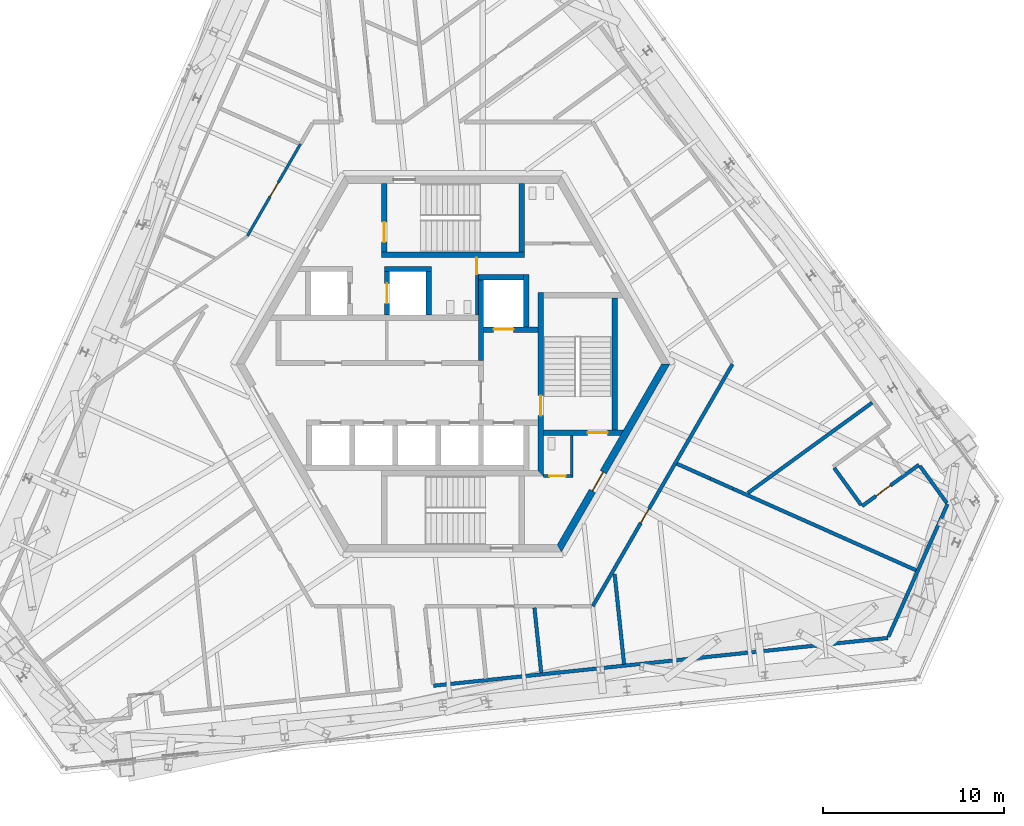
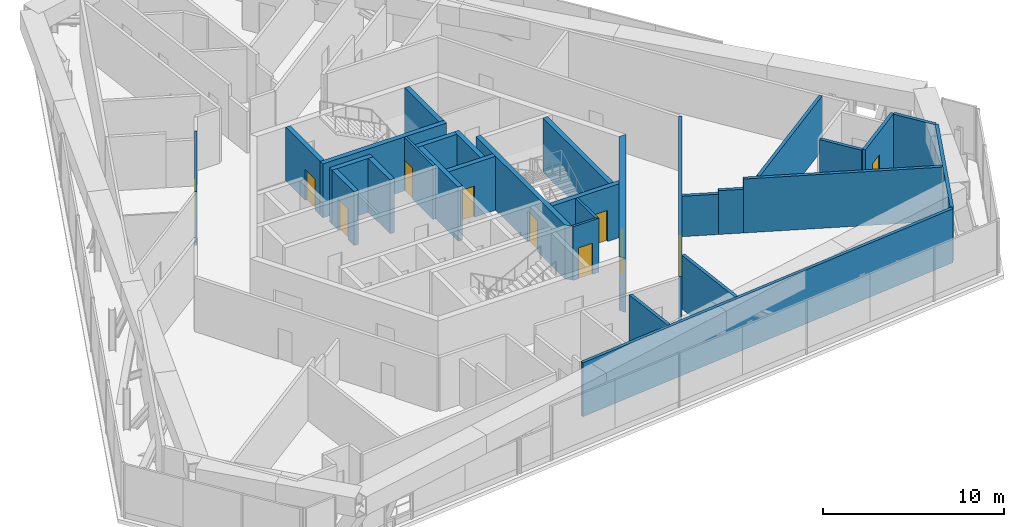
# One storey, part 14 of 23: 30 walls, 11 doors, 11 openings.
"""IFC4 building model written with IfcOpenShell, lengths in metres."""

from ifc_helpers import new_model, si_unit, direction, frame, frame_2d, origin, place, context, subcontext, project, spatial, polyline, rectangle, outline, extrude, source, transform, mapped, material, layer, layer_set, type_object, element, fill, save


model = new_model("IFC4")

# Units and contexts
model_context = context("Model", 3, precision=1e-05, world=origin(), true_north=direction((0.0, 1.0)))
body_context = subcontext(model_context, "Body", "Model", "MODEL_VIEW")
ifc_project = project(units=[si_unit("LENGTHUNIT", "METRE"), si_unit("AREAUNIT", "SQUARE_METRE"), si_unit("VOLUMEUNIT", "CUBIC_METRE"), si_unit("PLANEANGLEUNIT", "RADIAN"), si_unit("MASSUNIT", "GRAM", prefix="KILO")], contexts=[model_context])

# Site, building, storey
site_placement = place(None, origin())
site = spatial("IfcSite", under=ifc_project, at=site_placement, CompositionType="ELEMENT")
building_placement = place(site_placement, origin())
building = spatial("IfcBuilding", under=site, at=building_placement, Name="Triune Harvest Tower", CompositionType="ELEMENT")
storey_placement = place(building_placement, frame((0.0, 0.0, 255.699951171875)))
storey = spatial("IfcBuildingStorey", under=building, at=storey_placement, Name="L67", CompositionType="ELEMENT", Elevation=255.699951171875)

# Wall, opening, door
ifc_material_1 = material(Name="Gypsum board on steel studs", Category="steel")
ifc_layer_1 = layer(ifc_material_1, 0.14990234375)
ifc_layer_set_1 = layer_set([ifc_layer_1], Name="Gypsum board on steel studs")
wall_type_1 = type_object("IfcWallType", Name="Fire Partition 150 mm", PredefinedType="PARTITIONING", material=ifc_layer_set_1)
wall_1_placement = place(storey_placement, frame((-11.365966796875, 7.09814453125, 0.0), z_axis=(0.0, 0.0, 1.0), x_axis=(0.500005576254, 0.866022184308, 0.0)))
wall_1 = element("IfcWall", 1, at=wall_1_placement, inside=storey, type_object=wall_type_1, Name="Partition L67 055", PredefinedType="PARTITIONING", context=body_context, shape_type="SweptSolid", body=[
    extrude(rectangle(XDim=5.84716796875, YDim=0.14990234375, at=frame_2d((2.923583984375, 0.0))), origin(), (0.0, 0.0, 1.0), 3.64013671875),
])
opening_1_placement = place(wall_1_placement, frame((2.5, 0.0, 0.0)))
opening_1 = element("IfcOpeningElement", 2, at=opening_1_placement, cuts=wall_1, Name="Opening L67-012", PredefinedType="OPENING", context=body_context, shape_type="SweptSolid", body=[
    extrude(rectangle(XDim=0.89990234375, YDim=2.10009765625, at=frame_2d((0.449951171875, 1.050048828125))), frame((0.0, 0.0849609375, 0.0), z_axis=(0.0, -1.0, 0.0), x_axis=(1.0, 0.0, 0.0)), (0.0, 0.0, 1.0), 0.169921875),
])
ifc_material_2 = material(Name="Timber and steel door set", Category="steel")
door_type_1 = type_object("IfcDoorType", Name="Single leaf door FD30 right hand 900 x 2100", OperationType="SINGLE_SWING_RIGHT", PredefinedType="DOOR", material=ifc_material_2)
door_1_placement = place(opening_1_placement, origin())
door_1 = element("IfcDoor", 3, at=door_1_placement, inside=storey, type_object=door_type_1, Name="Door L67-012 Dry Store Room 67.12", OperationType="SINGLE_SWING_RIGHT", OverallHeight=2.10009765625, OverallWidth=0.89990234375, PredefinedType="DOOR", context=body_context, shape_type="SweptSolid", body=[
    extrude(rectangle(XDim=0.89990234375, YDim=2.10009765625, at=frame_2d((0.449951171875, 1.050048828125))), frame((0.0, 0.02490234375, 0.0), z_axis=(0.0, -1.0, 0.0), x_axis=(1.0, 0.0, 0.0)), (0.0, 0.0, 1.0), 0.050048828125),
])
fill(opening_1, door_1)

# Walls
ifc_material_3 = material(Name="Gypsum board on steel studs", Category="steel")
ifc_layer_2 = layer(ifc_material_3, 0.199951171875)
ifc_layer_set_2 = layer_set([ifc_layer_2], Name="Gypsum board on steel studs")
wall_type_2 = type_object("IfcWallType", Name="Fire Wall 200 mm", PredefinedType="PARTITIONING", material=ifc_layer_set_2)
wall_2_placement = place(storey_placement, frame((4.505615234375, -13.481689453125, 0.0), z_axis=(0.0, 0.0, 1.0), x_axis=(0.104537521433, -0.994520943275, 0.0)))
element("IfcWall", 4, at=wall_2_placement, inside=storey, type_object=wall_type_2, Name="Partition L67 011", PredefinedType="PARTITIONING", context=body_context, shape_type="SweptSolid", body=[
    extrude(rectangle(XDim=3.62451171875, YDim=0.199951171875, at=frame_2d((1.812255859375, 0.0))), origin(), (0.0, 0.0, 1.0), 3.64013671875),
])
wall_3_placement = place(storey_placement, frame((8.9423828125, -11.613525390625, 0.0), z_axis=(0.0, 0.0, 1.0), x_axis=(0.104540444473, -0.99452063602, 0.0)))
element("IfcWall", 5, at=wall_3_placement, inside=storey, type_object=wall_type_2, Name="Partition L67 012", PredefinedType="PARTITIONING", context=body_context, shape_type="SweptSolid", body=[
    extrude(rectangle(XDim=5.018798828125, YDim=0.199951171875, at=frame_2d((2.50927734375, 0.0))), origin(), (0.0, 0.0, 1.0), 3.64013671875),
])
wall_4_placement = place(storey_placement, frame((21.08544921875, -5.74169921875, 0.0), z_axis=(0.0, 0.0, 1.0), x_axis=(0.587765846861, -0.809031092891, 0.0)))
element("IfcWall", 6, at=wall_4_placement, inside=storey, type_object=wall_type_2, Name="Partition L67 017", PredefinedType="PARTITIONING", context=body_context, shape_type="SweptSolid", body=[
    extrude(rectangle(XDim=2.5400390625, YDim=0.199951171875, at=frame_2d((1.27001953125, 0.0))), origin(), (0.0, 0.0, 1.0), 3.64013671875),
])
wall_5_placement = place(storey_placement, frame((25.82763671875, -5.633544921875, 0.0), z_axis=(0.0, 0.0, 1.0), x_axis=(0.587799275921, -0.809006805427, 0.0)))
element("IfcWall", 7, at=wall_5_placement, inside=storey, type_object=wall_type_2, Name="Partition L67 023", PredefinedType="PARTITIONING", context=body_context, shape_type="SweptSolid", body=[
    extrude(rectangle(XDim=2.533935546875, YDim=0.199951171875, at=frame_2d((1.26708984375, 0.0))), origin(), (0.0, 0.0, 1.0), 3.64013671875),
])
wall_6_placement = place(storey_placement, frame((12.384033203125, -5.513916015625, 0.0), z_axis=(0.0, 0.0, 1.0), x_axis=(0.91359778804, -0.406619086725, 0.0)))
element("IfcWall", 8, at=wall_6_placement, inside=storey, type_object=wall_type_2, Name="Partition L67 025", PredefinedType="PARTITIONING", context=body_context, shape_type="SweptSolid", body=[
    extrude(rectangle(XDim=2.0263671875, YDim=0.199951171875, at=frame_2d((1.01318359375, 0.0))), origin(), (0.0, 0.0, 1.0), 2.7255859375),
])
wall_7_placement = place(storey_placement, frame((14.2353515625, -6.337890625, 0.0), z_axis=(0.0, 0.0, 1.0), x_axis=(0.913482546164, -0.406877915171, 0.0)))
element("IfcWall", 9, at=wall_7_placement, inside=storey, type_object=wall_type_2, Name="Partition L67 025a", PredefinedType="PARTITIONING", context=body_context, shape_type="SweptSolid", body=[
    extrude(rectangle(XDim=1.378173828125, YDim=0.199951171875, at=frame_2d((0.68896484375, 0.0))), origin(), (0.0, 0.0, 1.0), 2.956787109375),
])
wall_8_placement = place(storey_placement, frame((15.494384765625, -6.898681640625, 0.0), z_axis=(0.0, 0.0, 1.0), x_axis=(0.913542108891, -0.406744164411, 0.0)))
element("IfcWall", 10, at=wall_8_placement, inside=storey, type_object=wall_type_2, Name="Partition L67 025b", PredefinedType="PARTITIONING", context=body_context, shape_type="SweptSolid", body=[
    extrude(rectangle(XDim=11.180419921875, YDim=0.199951171875, at=frame_2d((5.59033203125, 0.0))), origin(), (0.0, 0.0, 1.0), 3.64013671875),
])
wall_9_placement = place(storey_placement, frame((-1.085693359375, -17.79443359375, 0.0), z_axis=(0.0, 0.0, 1.0), x_axis=(0.994521684856, 0.104530466143, 0.0)))
element("IfcWall", 11, at=wall_9_placement, inside=storey, type_object=wall_type_2, Name="Partition L67 037", PredefinedType="PARTITIONING", context=body_context, shape_type="SweptSolid", body=[
    extrude(rectangle(XDim=25.28271484375, YDim=0.199951171875, at=frame_2d((12.641357421875, 0.0))), origin(), (0.0, 0.0, 1.0), 3.64013671875),
])

# Wall, opening, door
wall_10_placement = place(storey_placement, frame((22.625732421875, -7.861083984375, 0.0), z_axis=(0.0, 0.0, 1.0), x_axis=(0.809036526303, 0.58775836796, 0.0)))
wall_10 = element("IfcWall", 12, at=wall_10_placement, inside=storey, type_object=wall_type_2, Name="Partition L67 040", PredefinedType="PARTITIONING", context=body_context, shape_type="SweptSolid", body=[
    extrude(rectangle(XDim=3.899169921875, YDim=0.199951171875, at=frame_2d((1.94970703125, 0.0))), origin(), (0.0, 0.0, 1.0), 3.64013671875),
])
opening_2_placement = place(wall_10_placement, frame((0.94970703125, 0.0, 0.0)))
opening_2 = element("IfcOpeningElement", 13, at=opening_2_placement, cuts=wall_10, Name="Opening L67-001", PredefinedType="OPENING", context=body_context, shape_type="SweptSolid", body=[
    extrude(rectangle(XDim=1.0, YDim=2.10009765625, at=frame_2d((0.5, 1.050048828125))), frame((0.0, 0.10986328125, 0.0), z_axis=(0.0, -1.0, 0.0), x_axis=(1.0, 0.0, 0.0)), (0.0, 0.0, 1.0), 0.219970703125),
])
ifc_material_4 = material(Name="Timber and steel door set", Category="steel")
door_type_2 = type_object("IfcDoorType", Name="Wide single leaf door FD60 right hand 1000 x 2100", OperationType="SINGLE_SWING_RIGHT", PredefinedType="DOOR", material=ifc_material_4)
door_2_placement = place(opening_2_placement, origin())
door_2 = element("IfcDoor", 14, at=door_2_placement, inside=storey, type_object=door_type_2, Name="Door L67-001 Refuge Area 67.01", OperationType="SINGLE_SWING_RIGHT", OverallHeight=2.10009765625, OverallWidth=1.0, PredefinedType="DOOR", context=body_context, shape_type="SweptSolid", body=[
    extrude(rectangle(XDim=1.0, YDim=2.10009765625, at=frame_2d((0.5, 1.050048828125))), frame((0.0, 0.02490234375, 0.0), z_axis=(0.0, -1.0, 0.0), x_axis=(1.0, 0.0, 0.0)), (0.0, 0.0, 1.0), 0.050048828125),
])
fill(opening_2, door_2)

# Walls
wall_11_placement = place(storey_placement, frame((16.322998046875, -7.125244140625, 0.0), z_axis=(0.0, 0.0, 1.0), x_axis=(0.809018395673, 0.587783323566, 0.0)))
element("IfcWall", 15, at=wall_11_placement, inside=storey, type_object=wall_type_2, Name="Partition L67 042", PredefinedType="PARTITIONING", context=body_context, shape_type="SweptSolid", body=[
    extrude(rectangle(XDim=8.486083984375, YDim=0.199951171875, at=frame_2d((4.2431640625, 0.0))), origin(), (0.0, 0.0, 1.0), 3.64013671875),
])
wall_12_placement = place(storey_placement, frame((24.0869140625, -15.087890625, 0.0), z_axis=(0.0, 0.0, 1.0), x_axis=(0.406732658492, 0.913547231683, 0.0)))
element("IfcWall", 16, at=wall_12_placement, inside=storey, type_object=wall_type_2, Name="Partition L67 057", PredefinedType="PARTITIONING", context=body_context, shape_type="SweptSolid", body=[
    extrude(rectangle(XDim=8.042724609375, YDim=0.199951171875, at=frame_2d((4.021484375, 0.0))), origin(), (0.0, 0.0, 1.0), 3.64013671875),
])

# Wall, opening, door
ifc_material_5 = material(Name="Concrete 70 MPa", Category="concrete")
ifc_layer_3 = layer(ifc_material_5, 0.39990234375)
ifc_layer_set_3 = layer_set([ifc_layer_3], Name="Concrete 70 MPa")
wall_type_3 = type_object("IfcWallType", Name="Core wall 400", PredefinedType="SHEAR", material=ifc_layer_set_3)
shared_shape_1 = source(origin(), body_context, "Body", "SweptSolid", [
    extrude(outline(polyline([(-0.115478515625, -0.199951171875), (11.884521484375, -0.199951171875), (11.653564453125, 0.199951171875), (0.115478515625, 0.199951171875), (-0.115478515625, -0.199951171875)])), origin(), (0.0, 0.0, 1.0), 3.64013671875),
])
wall_13_placement = place(storey_placement, frame((5.884521484375, -10.1923828125, 0.0), z_axis=(0.0, 0.0, 1.0), x_axis=(0.499996592174, 0.866027371285, 0.0)))
wall_13 = element("IfcWall", 17, at=wall_13_placement, inside=storey, type_object=wall_type_3, Name="Hexagon 5 wall", PredefinedType="SHEAR", context=body_context, shape_type="MappedRepresentation", body=[
    mapped(shared_shape_1, transform((0.0, 0.0, 0.0), scale=1.0)),
])
opening_3_placement = place(wall_13_placement, frame((3.66455078125, 0.0, 0.0)))
opening_3 = element("IfcOpeningElement", 18, at=opening_3_placement, cuts=wall_13, Name="Opening CD-DP", PredefinedType="OPENING", context=body_context, shape_type="SweptSolid", body=[
    extrude(rectangle(XDim=1.199951171875, YDim=2.10009765625, at=frame_2d((0.60009765625, 1.050048828125))), frame((0.0, 0.2099609375, 0.0), z_axis=(0.0, -1.0, 0.0), x_axis=(1.0, 0.0, 0.0)), (0.0, 0.0, 1.0), 0.419921875),
])
ifc_material_6 = material(Name="Steel S235", Category="steel")
door_type_3 = type_object("IfcDoorType", Name="Stair door 1200 FD120", OperationType="SINGLE_SWING_LEFT", PredefinedType="DOOR", material=ifc_material_6)
door_3_placement = place(opening_3_placement, frame((1.199951171875, 0.0, 0.0), z_axis=(0.0, 0.0, 1.0), x_axis=(-1.0, 0.0, 0.0)))
door_3 = element("IfcDoor", 19, at=door_3_placement, inside=storey, type_object=door_type_3, Name="Door CD-DP", OperationType="SINGLE_SWING_RIGHT", OverallHeight=2.10009765625, OverallWidth=1.199951171875, PredefinedType="DOOR", context=body_context, shape_type="SweptSolid", body=[
    extrude(rectangle(XDim=1.199951171875, YDim=2.10009765625, at=frame_2d((0.60009765625, 1.050048828125))), frame((0.0, 0.02490234375, 0.0), z_axis=(0.0, -1.0, 0.0), x_axis=(1.0, 0.0, 0.0)), (0.0, 0.0, 1.0), 0.050048828125),
])
fill(opening_3, door_3)

# Walls
ifc_material_7 = material(Name="Concrete 70 MPa", Category="concrete")
ifc_layer_4 = layer(ifc_material_7, 0.300048828125)
ifc_layer_set_4 = layer_set([ifc_layer_4], Name="Concrete 70 MPa")
wall_type_4 = type_object("IfcWallType", Name="Core wall 300", PredefinedType="SHEAR", material=ifc_layer_set_4)
shared_shape_2 = source(origin(), body_context, "Body", "SweptSolid", [
    extrude(rectangle(XDim=2.5, YDim=0.300048828125, at=frame_2d((1.25, 0.0))), origin(), (0.0, 0.0, 1.0), 3.64013671875),
])
wall_14_placement = place(storey_placement, frame((1.39990234375, 4.81005859375, 0.0), z_axis=(0.0, 0.0, 1.0), x_axis=(1.0, 0.0, 0.0)))
element("IfcWall", 20, at=wall_14_placement, inside=storey, type_object=wall_type_4, Name="Ff1 back wall", PredefinedType="SHEAR", context=body_context, shape_type="MappedRepresentation", body=[
    mapped(shared_shape_2, transform((0.0, 0.0, 0.0), scale=1.0)),
])
shared_shape_3 = source(origin(), body_context, "Body", "SweptSolid", [
    extrude(rectangle(XDim=4.449951171875, YDim=0.300048828125, at=frame_2d((2.22509765625, 0.0))), origin(), (0.0, 0.0, 1.0), 3.64013671875),
])
wall_15_placement = place(storey_placement, frame((1.550048828125, 0.2099609375, 0.0), z_axis=(0.0, 0.0, 1.0), x_axis=(0.0, 1.0, 0.0)))
element("IfcWall", 21, at=wall_15_placement, inside=storey, type_object=wall_type_4, Name="Ff1 west wall", PredefinedType="SHEAR", context=body_context, shape_type="MappedRepresentation", body=[
    mapped(shared_shape_3, transform((0.0, 0.0, 0.0), scale=1.0)),
])

# Wall, opening, door
shared_shape_4 = source(origin(), body_context, "Body", "SweptSolid", [
    extrude(rectangle(XDim=3.0, YDim=0.300048828125, at=frame_2d((1.5, 0.0))), origin(), (0.0, 0.0, 1.0), 3.64013671875),
])
wall_16_placement = place(storey_placement, frame((1.699951171875, 1.909912109375, 0.0), z_axis=(0.0, 0.0, 1.0), x_axis=(1.0, 0.0, 0.0)))
wall_16 = element("IfcWall", 22, at=wall_16_placement, inside=storey, type_object=wall_type_4, Name="Ff1 front wall", PredefinedType="SHEAR", context=body_context, shape_type="MappedRepresentation", body=[
    mapped(shared_shape_4, transform((0.0, 0.0, 0.0), scale=1.0)),
])
opening_4_placement = place(wall_16_placement, frame((0.550048828125, 0.0, 0.0)))
opening_4 = element("IfcOpeningElement", 23, at=opening_4_placement, cuts=wall_16, Name="Opening LD-FF1-67", PredefinedType="OPENING", context=body_context, shape_type="SweptSolid", body=[
    extrude(rectangle(XDim=1.10009765625, YDim=2.10009765625, at=frame_2d((0.550048828125, 1.050048828125))), frame((0.0, 0.16015625, 0.0), z_axis=(0.0, -1.0, 0.0), x_axis=(1.0, 0.0, 0.0)), (0.0, 0.0, 1.0), 0.320068359375),
])
ifc_material_8 = material(Name="Stainless steel AISI 304", Category="steel")
door_type_4 = type_object("IfcDoorType", Name="Landing door 1100 x 2100", OperationType="DOUBLE_DOOR_SLIDING", PredefinedType="DOOR", material=ifc_material_8)
door_4_placement = place(opening_4_placement, origin())
door_4 = element("IfcDoor", 24, at=door_4_placement, inside=storey, type_object=door_type_4, Name="Door LD-FF1-67", OperationType="DOUBLE_DOOR_SLIDING", OverallHeight=2.10009765625, OverallWidth=1.10009765625, PredefinedType="DOOR", context=body_context, shape_type="SweptSolid", body=[
    extrude(rectangle(XDim=1.10009765625, YDim=2.10009765625, at=frame_2d((0.550048828125, 1.050048828125))), frame((0.0, 0.02490234375, 0.0), z_axis=(0.0, -1.0, 0.0), x_axis=(1.0, 0.0, 0.0)), (0.0, 0.0, 1.0), 0.050048828125),
])
fill(opening_4, door_4)

# Wall
shared_shape_5 = source(origin(), body_context, "Body", "SweptSolid", [
    extrude(rectangle(XDim=2.89990234375, YDim=0.300048828125, at=frame_2d((1.449951171875, 0.0))), origin(), (0.0, 0.0, 1.0), 3.64013671875),
])
wall_17_placement = place(storey_placement, frame((4.050048828125, 2.06005859375, 0.0), z_axis=(0.0, 0.0, 1.0), x_axis=(0.0, 1.0, 0.0)))
element("IfcWall", 25, at=wall_17_placement, inside=storey, type_object=wall_type_4, Name="Ff1 east wall", PredefinedType="SHEAR", context=body_context, shape_type="MappedRepresentation", body=[
    mapped(shared_shape_5, transform((0.0, 0.0, 0.0), scale=1.0)),
])

# Wall, opening, door
shared_shape_6 = source(origin(), body_context, "Body", "SweptSolid", [
    extrude(outline(polyline([(-0.14990234375, -0.14990234375), (9.989990234375, -0.14990234375), (9.989990234375, 0.14990234375), (0.14990234375, 0.14990234375), (-0.14990234375, -0.14990234375)])), origin(), (0.0, 0.0, 1.0), 3.64013671875),
])
wall_18_placement = place(storey_placement, frame((4.85009765625, -6.0400390625, 0.0), z_axis=(0.0, 0.0, 1.0), x_axis=(0.0, 1.0, 0.0)))
wall_18 = element("IfcWall", 26, at=wall_18_placement, inside=storey, type_object=wall_type_4, Name="Stair e west wall", PredefinedType="SHEAR", context=body_context, shape_type="MappedRepresentation", body=[
    mapped(shared_shape_6, transform((0.0, 0.0, 0.0), scale=1.0)),
])
opening_5_placement = place(wall_18_placement, frame((3.18994140625, 0.0, 0.0)))
opening_5 = element("IfcOpeningElement", 27, at=opening_5_placement, cuts=wall_18, Name="Opening CD-S3L", PredefinedType="OPENING", context=body_context, shape_type="SweptSolid", body=[
    extrude(rectangle(XDim=1.10009765625, YDim=2.10009765625, at=frame_2d((0.550048828125, 1.050048828125))), frame((0.0, 0.16015625, 0.0), z_axis=(0.0, -1.0, 0.0), x_axis=(1.0, 0.0, 0.0)), (0.0, 0.0, 1.0), 0.320068359375),
])
ifc_material_9 = material(Name="Steel S235", Category="steel")
door_type_5 = type_object("IfcDoorType", Name="Stair door 1100 FD120", OperationType="SINGLE_SWING_LEFT", PredefinedType="DOOR", material=ifc_material_9)
door_5_placement = place(opening_5_placement, frame((1.10009765625, 0.0, 0.0), z_axis=(0.0, 0.0, 1.0), x_axis=(-1.0, 0.0, 0.0)))
door_5 = element("IfcDoor", 28, at=door_5_placement, inside=storey, type_object=door_type_5, Name="Door CD-S3L", OperationType="SINGLE_SWING_RIGHT", OverallHeight=2.10009765625, OverallWidth=1.10009765625, PredefinedType="DOOR", context=body_context, shape_type="SweptSolid", body=[
    extrude(rectangle(XDim=1.10009765625, YDim=2.10009765625, at=frame_2d((0.550048828125, 1.050048828125))), frame((0.0, 0.02490234375, 0.0), z_axis=(0.0, -1.0, 0.0), x_axis=(1.0, 0.0, 0.0)), (0.0, 0.0, 1.0), 0.050048828125),
])
fill(opening_5, door_5)

shared_shape_7 = source(origin(), body_context, "Body", "SweptSolid", [
    extrude(outline(polyline([(0.0, -0.14990234375), (0.0, 0.14990234375), (4.43310546875, 0.14990234375), (4.260009765625, -0.14990234375), (0.0, -0.14990234375)])), origin(), (0.0, 0.0, 1.0), 3.64013671875),
])
wall_19_placement = place(storey_placement, frame((5.0, -3.800048828125, 0.0), z_axis=(0.0, 0.0, 1.0), x_axis=(1.0, 0.0, 0.0)))
wall_19 = element("IfcWall", 29, at=wall_19_placement, inside=storey, type_object=wall_type_4, Name="Stair e south wall", PredefinedType="SHEAR", context=body_context, shape_type="MappedRepresentation", body=[
    mapped(shared_shape_7, transform((0.0, 0.0, 0.0), scale=1.0)),
])
opening_6_placement = place(wall_19_placement, frame((2.449951171875, 0.0, 0.0)))
opening_6 = element("IfcOpeningElement", 30, at=opening_6_placement, cuts=wall_19, Name="Opening CD-S3D", PredefinedType="OPENING", context=body_context, shape_type="SweptSolid", body=[
    extrude(rectangle(XDim=1.10009765625, YDim=2.10009765625, at=frame_2d((0.550048828125, 1.050048828125))), frame((0.0, 0.16015625, 0.0), z_axis=(0.0, -1.0, 0.0), x_axis=(1.0, 0.0, 0.0)), (0.0, 0.0, 1.0), 0.320068359375),
])
door_6_placement = place(opening_6_placement, frame((1.10009765625, 0.0, 0.0), z_axis=(0.0, 0.0, 1.0), x_axis=(-1.0, 0.0, 0.0)))
door_6 = element("IfcDoor", 31, at=door_6_placement, inside=storey, type_object=door_type_5, Name="Door CD-S3D", OperationType="SINGLE_SWING_RIGHT", OverallHeight=2.10009765625, OverallWidth=1.10009765625, PredefinedType="DOOR", context=body_context, shape_type="SweptSolid", body=[
    extrude(rectangle(XDim=1.10009765625, YDim=2.10009765625, at=frame_2d((0.550048828125, 1.050048828125))), frame((0.0, 0.02490234375, 0.0), z_axis=(0.0, -1.0, 0.0), x_axis=(1.0, 0.0, 0.0)), (0.0, 0.0, 1.0), 0.050048828125),
])
fill(opening_6, door_6)

# Walls
shared_shape_8 = source(origin(), body_context, "Body", "SweptSolid", [
    extrude(rectangle(XDim=7.2998046875, YDim=0.300048828125, at=frame_2d((3.64990234375, 0.0))), origin(), (0.0, 0.0, 1.0), 3.64013671875),
])
wall_20_placement = place(storey_placement, frame((8.949951171875, -3.64990234375, 0.0), z_axis=(0.0, 0.0, 1.0), x_axis=(0.0, 1.0, 0.0)))
element("IfcWall", 32, at=wall_20_placement, inside=storey, type_object=wall_type_4, Name="Stair e east wall", PredefinedType="SHEAR", context=body_context, shape_type="MappedRepresentation", body=[
    mapped(shared_shape_8, transform((0.0, 0.0, 0.0), scale=1.0)),
])
shared_shape_9 = source(origin(), body_context, "Body", "SweptSolid", [
    extrude(rectangle(XDim=7.89990234375, YDim=0.300048828125, at=frame_2d((3.949951171875, 0.0))), origin(), (0.0, 0.0, 1.0), 3.64013671875),
])
wall_21_placement = place(storey_placement, frame((-3.949951171875, 6.0400390625, 0.0), z_axis=(0.0, 0.0, 1.0), x_axis=(1.0, 0.0, 0.0)))
element("IfcWall", 33, at=wall_21_placement, inside=storey, type_object=wall_type_4, Name="Stair n south wall", PredefinedType="SHEAR", context=body_context, shape_type="MappedRepresentation", body=[
    mapped(shared_shape_9, transform((0.0, 0.0, 0.0), scale=1.0)),
])

# Wall, opening, door
shared_shape_10 = source(origin(), body_context, "Body", "SweptSolid", [
    extrude(outline(polyline([(0.0, -0.14990234375), (0.0, 0.14990234375), (3.80419921875, 0.14990234375), (3.80419921875, -0.14990234375), (0.0, -0.14990234375)])), origin(), (0.0, 0.0, 1.0), 3.64013671875),
])
wall_22_placement = place(storey_placement, frame((-3.800048828125, 6.18994140625, 0.0), z_axis=(0.0, 0.0, 1.0), x_axis=(0.0, 1.0, 0.0)))
wall_22 = element("IfcWall", 34, at=wall_22_placement, inside=storey, type_object=wall_type_4, Name="Stair n west wall", PredefinedType="SHEAR", context=body_context, shape_type="MappedRepresentation", body=[
    mapped(shared_shape_10, transform((0.0, 0.0, 0.0), scale=1.0)),
])
opening_7_placement = place(wall_22_placement, frame((0.56005859375, 0.0, 0.0)))
opening_7 = element("IfcOpeningElement", 35, at=opening_7_placement, cuts=wall_22, Name="Opening CD-S1L", PredefinedType="OPENING", context=body_context, shape_type="SweptSolid", body=[
    extrude(rectangle(XDim=1.10009765625, YDim=2.10009765625, at=frame_2d((0.550048828125, 1.050048828125))), frame((0.0, 0.16015625, 0.0), z_axis=(0.0, -1.0, 0.0), x_axis=(1.0, 0.0, 0.0)), (0.0, 0.0, 1.0), 0.320068359375),
])
door_7_placement = place(opening_7_placement, frame((1.10009765625, 0.0, 0.0), z_axis=(0.0, 0.0, 1.0), x_axis=(-1.0, 0.0, 0.0)))
door_7 = element("IfcDoor", 36, at=door_7_placement, inside=storey, type_object=door_type_5, Name="Door CD-S1L", OperationType="SINGLE_SWING_RIGHT", OverallHeight=2.10009765625, OverallWidth=1.10009765625, PredefinedType="DOOR", context=body_context, shape_type="SweptSolid", body=[
    extrude(rectangle(XDim=1.10009765625, YDim=2.10009765625, at=frame_2d((0.550048828125, 1.050048828125))), frame((0.0, 0.02490234375, 0.0), z_axis=(0.0, -1.0, 0.0), x_axis=(1.0, 0.0, 0.0)), (0.0, 0.0, 1.0), 0.050048828125),
])
fill(opening_7, door_7)

# Wall
wall_23_placement = place(storey_placement, frame((3.800048828125, 6.18994140625, 0.0), z_axis=(0.0, 0.0, 1.0), x_axis=(0.0, 1.0, 0.0)))
element("IfcWall", 37, at=wall_23_placement, inside=storey, type_object=wall_type_4, Name="Stair n east wall", PredefinedType="SHEAR", context=body_context, shape_type="MappedRepresentation", body=[
    mapped(shared_shape_10, transform((0.0, 0.0, 0.0), scale=1.0)),
])

# Wall, opening, door
shared_shape_11 = source(origin(), body_context, "Body", "SweptSolid", [
    extrude(rectangle(XDim=2.400146484375, YDim=0.300048828125, at=frame_2d((1.2001953125, 0.0))), origin(), (0.0, 0.0, 1.0), 3.64013671875),
])
wall_24_placement = place(storey_placement, frame((-3.64990234375, 2.7099609375, 0.0), z_axis=(0.0, 0.0, 1.0), x_axis=(0.0, 1.0, 0.0)))
wall_24 = element("IfcWall", 38, at=wall_24_placement, inside=storey, type_object=wall_type_4, Name="Sv2 west wall", PredefinedType="SHEAR", context=body_context, shape_type="MappedRepresentation", body=[
    mapped(shared_shape_11, transform((0.0, 0.0, 0.0), scale=1.0)),
])
opening_8_placement = place(wall_24_placement, frame((0.64990234375, 0.0, 0.0)))
opening_8 = element("IfcOpeningElement", 39, at=opening_8_placement, cuts=wall_24, Name="Opening LD-SV2-67", PredefinedType="OPENING", context=body_context, shape_type="SweptSolid", body=[
    extrude(rectangle(XDim=1.10009765625, YDim=2.10009765625, at=frame_2d((0.550048828125, 1.050048828125))), frame((0.0, 0.16015625, 0.0), z_axis=(0.0, -1.0, 0.0), x_axis=(1.0, 0.0, 0.0)), (0.0, 0.0, 1.0), 0.320068359375),
])
door_8_placement = place(opening_8_placement, origin())
door_8 = element("IfcDoor", 40, at=door_8_placement, inside=storey, type_object=door_type_4, Name="Door LD-SV2-67", OperationType="DOUBLE_DOOR_SLIDING", OverallHeight=2.10009765625, OverallWidth=1.10009765625, PredefinedType="DOOR", context=body_context, shape_type="SweptSolid", body=[
    extrude(rectangle(XDim=1.10009765625, YDim=2.10009765625, at=frame_2d((0.550048828125, 1.050048828125))), frame((0.0, 0.02490234375, 0.0), z_axis=(0.0, -1.0, 0.0), x_axis=(1.0, 0.0, 0.0)), (0.0, 0.0, 1.0), 0.050048828125),
])
fill(opening_8, door_8)

# Walls
wall_25_placement = place(storey_placement, frame((-1.35009765625, 2.7099609375, 0.0), z_axis=(0.0, 0.0, 1.0), x_axis=(0.0, 1.0, 0.0)))
element("IfcWall", 41, at=wall_25_placement, inside=storey, type_object=wall_type_4, Name="Sv2 east wall", PredefinedType="SHEAR", context=body_context, shape_type="MappedRepresentation", body=[
    mapped(shared_shape_11, transform((0.0, 0.0, 0.0), scale=1.0)),
])
shared_shape_12 = source(origin(), body_context, "Body", "SweptSolid", [
    extrude(rectangle(XDim=2.60009765625, YDim=0.300048828125, at=frame_2d((1.300048828125, 0.0))), origin(), (0.0, 0.0, 1.0), 3.64013671875),
])
wall_26_placement = place(storey_placement, frame((-3.800048828125, 5.260009765625, 0.0), z_axis=(0.0, 0.0, 1.0), x_axis=(1.0, 0.0, 0.0)))
element("IfcWall", 42, at=wall_26_placement, inside=storey, type_object=wall_type_4, Name="Sv2 north wall", PredefinedType="SHEAR", context=body_context, shape_type="MappedRepresentation", body=[
    mapped(shared_shape_12, transform((0.0, 0.0, 0.0), scale=1.0)),
])

# Wall, opening, door
ifc_material_10 = material(Name="Concrete masonry unit", Category="masonry")
ifc_layer_5 = layer(ifc_material_10, 0.14990234375)
ifc_layer_set_5 = layer_set([ifc_layer_5], Name="Concrete masonry unit")
wall_type_5 = type_object("IfcWallType", Name="Block partition 150 unrated", PredefinedType="PARTITIONING", material=ifc_layer_set_5)
shared_shape_13 = source(origin(), body_context, "Body", "SweptSolid", [
    extrude(rectangle(XDim=3.179931640625, YDim=0.14990234375, at=frame_2d((1.58984375, 0.0))), origin(), (0.0, 0.0, 1.0), 3.64013671875),
])
wall_27_placement = place(storey_placement, frame((1.324951171875, 2.7099609375, 0.0), z_axis=(0.0, 0.0, 1.0), x_axis=(0.0, 1.0, 0.0)))
wall_27 = element("IfcWall", 43, at=wall_27_placement, inside=storey, type_object=wall_type_5, Name="Wc men east wall", PredefinedType="PARTITIONING", context=body_context, shape_type="MappedRepresentation", body=[
    mapped(shared_shape_13, transform((0.0, 0.0, 0.0), scale=1.0)),
])
opening_9_placement = place(wall_27_placement, frame((2.264892578125, 0.0, 0.0)))
opening_9 = element("IfcOpeningElement", 44, at=opening_9_placement, cuts=wall_27, Name="Opening CD-WM", PredefinedType="OPENING", context=body_context, shape_type="SweptSolid", body=[
    extrude(rectangle(XDim=0.89990234375, YDim=2.10009765625, at=frame_2d((0.449951171875, 1.050048828125))), frame((0.0, 0.0849609375, 0.0), z_axis=(0.0, -1.0, 0.0), x_axis=(1.0, 0.0, 0.0)), (0.0, 0.0, 1.0), 0.169921875),
])
ifc_material_11 = material(Name="Timber C24", Category="wood")
door_type_6 = type_object("IfcDoorType", Name="WC door 900", OperationType="SINGLE_SWING_LEFT", PredefinedType="DOOR", material=ifc_material_11)
door_9_placement = place(opening_9_placement, origin())
door_9 = element("IfcDoor", 45, at=door_9_placement, inside=storey, type_object=door_type_6, Name="Door CD-WM", OperationType="SINGLE_SWING_LEFT", OverallHeight=2.10009765625, OverallWidth=0.89990234375, PredefinedType="DOOR", context=body_context, shape_type="SweptSolid", body=[
    extrude(rectangle(XDim=0.89990234375, YDim=2.10009765625, at=frame_2d((0.449951171875, 1.050048828125))), frame((0.0, 0.02490234375, 0.0), z_axis=(0.0, -1.0, 0.0), x_axis=(1.0, 0.0, 0.0)), (0.0, 0.0, 1.0), 0.050048828125),
])
fill(opening_9, door_9)

shared_shape_14 = source(origin(), body_context, "Body", "SweptSolid", [
    extrude(outline(polyline([(0.0, -0.074951171875), (1.64990234375, -0.074951171875), (1.5, 0.074951171875), (0.0, 0.074951171875), (0.0, -0.074951171875)])), origin(), (0.0, 0.0, 1.0), 3.64013671875),
])
wall_28_placement = place(storey_placement, frame((5.0, -6.18994140625, 0.0), z_axis=(0.0, 0.0, 1.0), x_axis=(1.0, 0.0, 0.0)))
wall_28 = element("IfcWall", 46, at=wall_28_placement, inside=storey, type_object=wall_type_5, Name="Wc acc south wall", PredefinedType="PARTITIONING", context=body_context, shape_type="MappedRepresentation", body=[
    mapped(shared_shape_14, transform((0.0, 0.0, 0.0), scale=1.0)),
])
opening_10_placement = place(wall_28_placement, frame((0.33740234375, 0.0, 0.0)))
opening_10 = element("IfcOpeningElement", 47, at=opening_10_placement, cuts=wall_28, Name="Opening CD-WA", PredefinedType="OPENING", context=body_context, shape_type="SweptSolid", body=[
    extrude(rectangle(XDim=0.89990234375, YDim=2.10009765625, at=frame_2d((0.449951171875, 1.050048828125))), frame((0.0, 0.0849609375, 0.0), z_axis=(0.0, -1.0, 0.0), x_axis=(1.0, 0.0, 0.0)), (0.0, 0.0, 1.0), 0.169921875),
])
door_10_placement = place(opening_10_placement, origin())
door_10 = element("IfcDoor", 48, at=door_10_placement, inside=storey, type_object=door_type_6, Name="Door CD-WA", OperationType="SINGLE_SWING_LEFT", OverallHeight=2.10009765625, OverallWidth=0.89990234375, PredefinedType="DOOR", context=body_context, shape_type="SweptSolid", body=[
    extrude(rectangle(XDim=0.89990234375, YDim=2.10009765625, at=frame_2d((0.449951171875, 1.050048828125))), frame((0.0, 0.02490234375, 0.0), z_axis=(0.0, -1.0, 0.0), x_axis=(1.0, 0.0, 0.0)), (0.0, 0.0, 1.0), 0.050048828125),
])
fill(opening_10, door_10)

# Wall
shared_shape_15 = source(origin(), body_context, "Body", "SweptSolid", [
    extrude(outline(polyline([(-0.074951171875, -0.074951171875), (2.239990234375, -0.074951171875), (2.239990234375, 0.074951171875), (0.074951171875, 0.074951171875), (-0.074951171875, -0.074951171875)])), origin(), (0.0, 0.0, 1.0), 3.64013671875),
])
wall_29_placement = place(storey_placement, frame((6.574951171875, -6.18994140625, 0.0), z_axis=(0.0, 0.0, 1.0), x_axis=(0.0, 1.0, 0.0)))
element("IfcWall", 49, at=wall_29_placement, inside=storey, type_object=wall_type_5, Name="Wc acc east wall", PredefinedType="PARTITIONING", context=body_context, shape_type="MappedRepresentation", body=[
    mapped(shared_shape_15, transform((0.0, 0.0, 0.0), scale=1.0)),
])

# Wall, opening, door
shared_shape_16 = source(origin(), body_context, "Body", "SweptSolid", [
    extrude(rectangle(XDim=15.464111328125, YDim=0.199951171875, at=frame_2d((7.73193359375, 0.0))), origin(), (0.0, 0.0, 1.0), 3.64013671875),
])
wall_30_placement = place(storey_placement, frame((7.73193359375, -13.392333984375, 0.0), z_axis=(0.0, 0.0, 1.0), x_axis=(0.500005339912, 0.866022320763, 0.0)))
wall_30 = element("IfcWall", 50, at=wall_30_placement, inside=storey, type_object=wall_type_2, Name="Partition L67 053", PredefinedType="PARTITIONING", context=body_context, shape_type="MappedRepresentation", body=[
    mapped(shared_shape_16, transform((0.0, 0.0, 0.0), scale=1.0)),
])
opening_11_placement = place(wall_30_placement, frame((5.314453125, 0.0, 0.0)))
opening_11 = element("IfcOpeningElement", 51, at=opening_11_placement, cuts=wall_30, Name="Opening L67-021", PredefinedType="OPENING", context=body_context, shape_type="SweptSolid", body=[
    extrude(rectangle(XDim=0.89990234375, YDim=2.10009765625, at=frame_2d((0.449951171875, 1.050048828125))), frame((0.0, 0.10986328125, 0.0), z_axis=(0.0, -1.0, 0.0), x_axis=(1.0, 0.0, 0.0)), (0.0, 0.0, 1.0), 0.219970703125),
])
ifc_material_12 = material(Name="Timber and steel door set", Category="steel")
door_type_7 = type_object("IfcDoorType", Name="Single leaf door FD60 right hand 900 x 2100", OperationType="SINGLE_SWING_RIGHT", PredefinedType="DOOR", material=ifc_material_12)
door_11_placement = place(opening_11_placement, origin())
door_11 = element("IfcDoor", 52, at=door_11_placement, inside=storey, type_object=door_type_7, Name="Door L67-021 Stair Pressurisation Fan Room 67.21", OperationType="SINGLE_SWING_RIGHT", OverallHeight=2.10009765625, OverallWidth=0.89990234375, PredefinedType="DOOR", context=body_context, shape_type="SweptSolid", body=[
    extrude(rectangle(XDim=0.89990234375, YDim=2.10009765625, at=frame_2d((0.449951171875, 1.050048828125))), frame((0.0, 0.02490234375, 0.0), z_axis=(0.0, -1.0, 0.0), x_axis=(1.0, 0.0, 0.0)), (0.0, 0.0, 1.0), 0.050048828125),
])
fill(opening_11, door_11)

save(model, "model.ifc")
